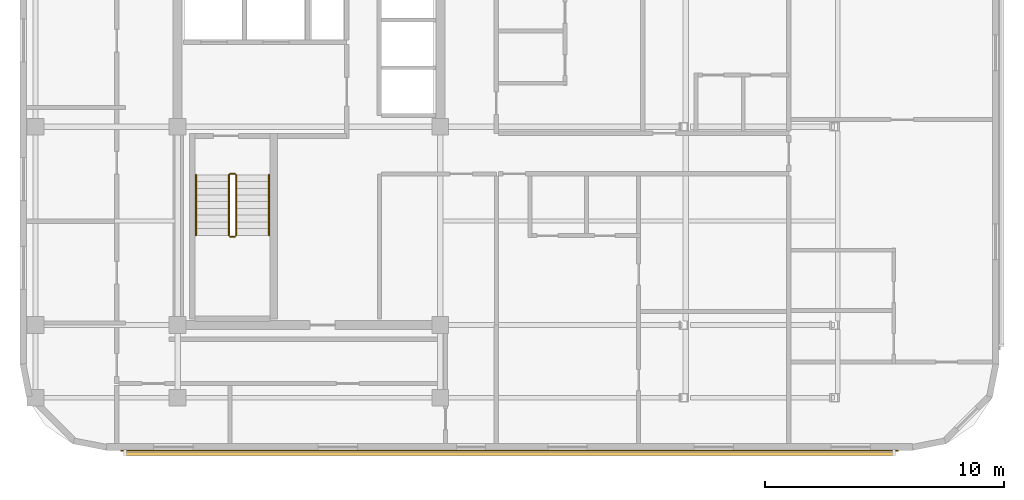
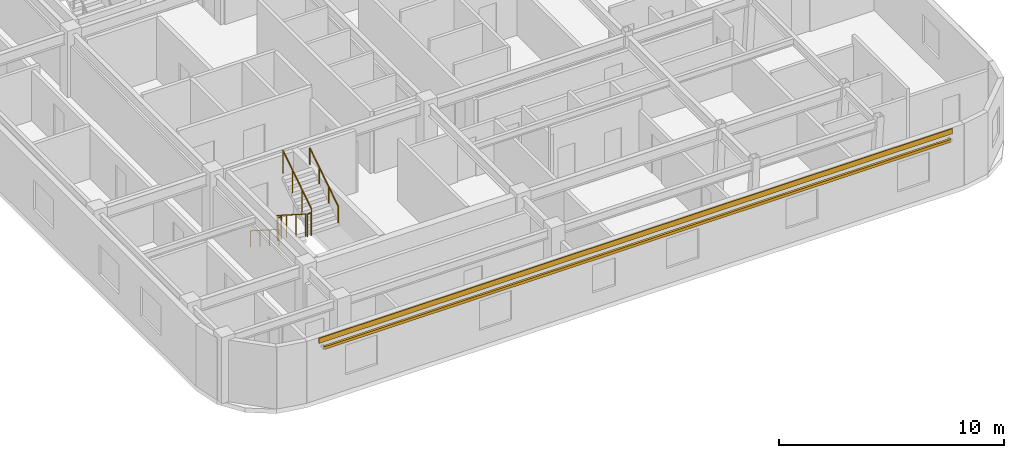
# One storey, part 9 of 11: 6 railings, 1 covering, 1 shading device.
"""IFC4 building model written with IfcOpenShell, lengths in metres."""

from ifc_helpers import new_model, si_unit, direction, frame, origin, origin_2d, place, context, subcontext, project, spatial, rectangle, circle, extrude, material, layer, layer_set, material_profile, profile_set, type_object, element, save


model = new_model("IFC4")

# Units and contexts
model_context = context("Model", 3, precision=1e-05, world=origin(), true_north=direction((0.0, 1.0)))
body_context = subcontext(model_context, "Body", "Model", "MODEL_VIEW")
ifc_project = project(units=[si_unit("LENGTHUNIT", "METRE"), si_unit("AREAUNIT", "SQUARE_METRE"), si_unit("VOLUMEUNIT", "CUBIC_METRE"), si_unit("PLANEANGLEUNIT", "RADIAN"), si_unit("MASSUNIT", "GRAM", prefix="KILO")], contexts=[model_context])

# Site, building, storey
site_placement = place(None, origin())
site = spatial("IfcSite", under=ifc_project, at=site_placement, CompositionType="ELEMENT")
building_placement = place(site_placement, origin())
building = spatial("IfcBuilding", under=site, at=building_placement, Name="Ochreholt Gables", CompositionType="ELEMENT")
storey_placement = place(building_placement, frame((0.0, 0.0, 155.39990234375)))
storey = spatial("IfcBuildingStorey", under=building, at=storey_placement, Name="L40", CompositionType="ELEMENT", Elevation=155.39990234375)

# Covering
ifc_material_1 = material(Name="Glazed Ochre Terracotta Rainscreen Cladding", Category="masonry")
ifc_layer = layer(ifc_material_1, 0.044921875, Name="Glazed Ochre Terracotta Rainscreen Cladding")
ifc_layer_set = layer_set([ifc_layer], Name="Glazed Ochre Terracotta Rainscreen Cladding")
covering_type = type_object("IfcCoveringType", Name="COV-CLAD-TC", PredefinedType="CLADDING", material=ifc_layer_set)
covering_placement = place(storey_placement, frame((38.10009765625, 3.97998046875, 3.06005859375), z_axis=(0.0, 0.0, 1.0), x_axis=(1.0, 0.0, 0.0)))
element("IfcCovering", 1, at=covering_placement, inside=storey, type_object=covering_type, Name="L40 Terracotta Spandrel Cladding South", PredefinedType="CLADDING", context=body_context, shape_type="SweptSolid", body=[
    extrude(rectangle(XDim=32.56005859375, YDim=0.044921875, at=origin_2d()), origin(), (0.0, 0.0, 1.0), 0.280029296875),
])

# Railings
ifc_material_2 = material(Name="Painted Steel Stair Guardrail", Category="steel")
railing_type_1 = type_object("IfcRailingType", Name="RL-ST-GUARD", PredefinedType="GUARDRAIL", material=ifc_material_2)
railing_1_placement = place(storey_placement, frame((26.35009765625, 15.5400390625, 0.18017578125)))
element("IfcRailing", 2, at=railing_1_placement, inside=storey, type_object=railing_type_1, Name="L40 ST-1 stair guard 1", PredefinedType="GUARDRAIL", context=body_context, shape_type="SweptSolid", body=[
    extrude(circle(Radius=0.02392578125, at=origin_2d()), frame((0.0, 0.0, 1.22607421875), z_axis=(0.0, -0.842949592929, 0.537992549931), x_axis=(1.0, 0.0, 0.0)), (0.0, 0.0, 1.0), 3.010986328125),
    extrude(circle(Radius=0.02099609375, at=origin_2d()), origin(), (0.0, 0.0, 1.0), 1.201904296875),
    extrude(circle(Radius=0.02099609375, at=origin_2d()), frame((0.0, -0.845947265625, 0.5400390625)), (0.0, 0.0, 1.0), 1.201904296875),
    extrude(circle(Radius=0.02099609375, at=origin_2d()), frame((0.0, -1.692138671875, 1.079833984375)), (0.0, 0.0, 1.0), 1.201904296875),
    extrude(circle(Radius=0.02099609375, at=origin_2d()), frame((0.0, -2.5380859375, 1.619873046875)), (0.0, 0.0, 1.0), 1.201904296875),
])
railing_2_placement = place(storey_placement, frame((26.39990234375, 12.951904296875, 1.800048828125)))
element("IfcRailing", 3, at=railing_2_placement, inside=storey, type_object=railing_type_1, Name="L40 ST-1 stair guard 2", PredefinedType="GUARDRAIL", context=body_context, shape_type="SweptSolid", body=[
    extrude(circle(Radius=0.02392578125, at=origin_2d()), frame((0.0, 0.0, 1.22607421875), z_axis=(1.0, 0.0, 0.0), x_axis=(0.0, 1.0, 0.0)), (0.0, 0.0, 1.0), 0.2001953125),
    extrude(circle(Radius=0.02099609375, at=origin_2d()), origin(), (0.0, 0.0, 1.0), 1.201904296875),
    extrude(circle(Radius=0.02099609375, at=origin_2d()), frame((0.2001953125, 0.0, 0.0)), (0.0, 0.0, 1.0), 1.201904296875),
])
railing_3_placement = place(storey_placement, frame((26.64990234375, 13.001953125, 1.97998046875)))
element("IfcRailing", 4, at=railing_3_placement, inside=storey, type_object=railing_type_1, Name="L40 ST-1 stair guard 3", PredefinedType="GUARDRAIL", context=body_context, shape_type="SweptSolid", body=[
    extrude(circle(Radius=0.02392578125, at=origin_2d()), frame((0.0, 0.0, 1.22607421875), z_axis=(0.0, 0.842912820907, 0.538050161556), x_axis=(-1.0, 0.0, 0.0)), (0.0, 0.0, 1.0), 3.010986328125),
    extrude(circle(Radius=0.02099609375, at=origin_2d()), origin(), (0.0, 0.0, 1.0), 1.201904296875),
    extrude(circle(Radius=0.02099609375, at=origin_2d()), frame((0.0, 0.845947265625, 0.5400390625)), (0.0, 0.0, 1.0), 1.201904296875),
    extrude(circle(Radius=0.02099609375, at=origin_2d()), frame((0.0, 1.692138671875, 1.080078125)), (0.0, 0.0, 1.0), 1.201904296875),
    extrude(circle(Radius=0.02099609375, at=origin_2d()), frame((0.0, 2.5380859375, 1.6201171875)), (0.0, 0.0, 1.0), 1.201904296875),
])
railing_4_placement = place(storey_placement, frame((26.39990234375, 15.590087890625, 0.0)))
element("IfcRailing", 5, at=railing_4_placement, inside=storey, type_object=railing_type_1, Name="L40 ST-1 stair guard 4", PredefinedType="GUARDRAIL", context=body_context, shape_type="SweptSolid", body=[
    extrude(circle(Radius=0.02392578125, at=origin_2d()), frame((0.0, 0.0, 1.22607421875), z_axis=(1.0, 0.0, 0.0), x_axis=(0.0, 1.0, 0.0)), (0.0, 0.0, 1.0), 0.2001953125),
    extrude(circle(Radius=0.02099609375, at=origin_2d()), origin(), (0.0, 0.0, 1.0), 1.201904296875),
    extrude(circle(Radius=0.02099609375, at=origin_2d()), frame((0.2001953125, 0.0, 0.0)), (0.0, 0.0, 1.0), 1.201904296875),
])
ifc_material_3 = material(Name="Brushed Stainless Steel Wall Handrail", Category="steel")
railing_type_2 = type_object("IfcRailingType", Name="RL-ST-HAND", PredefinedType="HANDRAIL", material=ifc_material_3)
railing_5_placement = place(storey_placement, frame((24.969970703125, 15.5400390625, 0.18017578125)))
element("IfcRailing", 6, at=railing_5_placement, inside=storey, type_object=railing_type_2, Name="L40 ST-1 stair handrail 1", PredefinedType="HANDRAIL", context=body_context, shape_type="SweptSolid", body=[
    extrude(circle(Radius=0.02392578125, at=origin_2d()), frame((0.0, 0.0, 0.8759765625), z_axis=(0.0, -0.842949592929, 0.537992549931), x_axis=(1.0, 0.0, 0.0)), (0.0, 0.0, 1.0), 3.010986328125),
    extrude(circle(Radius=0.02099609375, at=origin_2d()), origin(), (0.0, 0.0, 1.0), 0.851806640625),
    extrude(circle(Radius=0.02099609375, at=origin_2d()), frame((0.0, -0.845947265625, 0.5400390625)), (0.0, 0.0, 1.0), 0.851806640625),
    extrude(circle(Radius=0.02099609375, at=origin_2d()), frame((0.0, -1.692138671875, 1.079833984375)), (0.0, 0.0, 1.0), 0.851806640625),
    extrude(circle(Radius=0.02099609375, at=origin_2d()), frame((0.0, -2.5380859375, 1.619873046875)), (0.0, 0.0, 1.0), 0.851806640625),
])
railing_6_placement = place(storey_placement, frame((28.030029296875, 13.001953125, 1.97998046875)))
element("IfcRailing", 7, at=railing_6_placement, inside=storey, type_object=railing_type_2, Name="L40 ST-1 stair handrail 2", PredefinedType="HANDRAIL", context=body_context, shape_type="SweptSolid", body=[
    extrude(circle(Radius=0.02392578125, at=origin_2d()), frame((0.0, 0.0, 0.8759765625), z_axis=(0.0, 0.842912820907, 0.538050161556), x_axis=(-1.0, 0.0, 0.0)), (0.0, 0.0, 1.0), 3.010986328125),
    extrude(circle(Radius=0.02099609375, at=origin_2d()), origin(), (0.0, 0.0, 1.0), 0.851806640625),
    extrude(circle(Radius=0.02099609375, at=origin_2d()), frame((0.0, 0.845947265625, 0.5400390625)), (0.0, 0.0, 1.0), 0.851806640625),
    extrude(circle(Radius=0.02099609375, at=origin_2d()), frame((0.0, 1.692138671875, 1.080078125)), (0.0, 0.0, 1.0), 0.851806640625),
    extrude(circle(Radius=0.02099609375, at=origin_2d()), frame((0.0, 2.5380859375, 1.6201171875)), (0.0, 0.0, 1.0), 0.851806640625),
])

# Shading device
ifc_material_4 = material(Name="Warm Ochre Glazed Terracotta Baguette", Category="masonry")
ifc_material_profile = material_profile(ifc_material_4, rectangle(XDim=0.110107421875, YDim=0.14990234375, at=origin_2d()), Name="TCBAG110X150")
ifc_profile_set = profile_set([ifc_material_profile], Name="Warm Ochre Glazed Terracotta Baguette")
shading_device_type = type_object("IfcShadingDeviceType", Name="SHD-BAGUETTE", PredefinedType="USERDEFINED", material=ifc_profile_set)
shading_device_placement = place(storey_placement, frame((22.0, 3.85009765625, 2.840087890625), z_axis=(1.0, 0.0, 0.0), x_axis=(0.0, 1.0, 0.0)))
element("IfcShadingDevice", 8, at=shading_device_placement, inside=storey, type_object=shading_device_type, Name="L40 Terracotta Baguette Screen S-1", ObjectType="BAGUETTE", PredefinedType="USERDEFINED", context=body_context, shape_type="SweptSolid", body=[
    extrude(rectangle(XDim=0.110107421875, YDim=0.14990234375, at=origin_2d()), origin(), (0.0, 0.0, 1.0), 32.199951171875),
])

save(model, "model.ifc")
